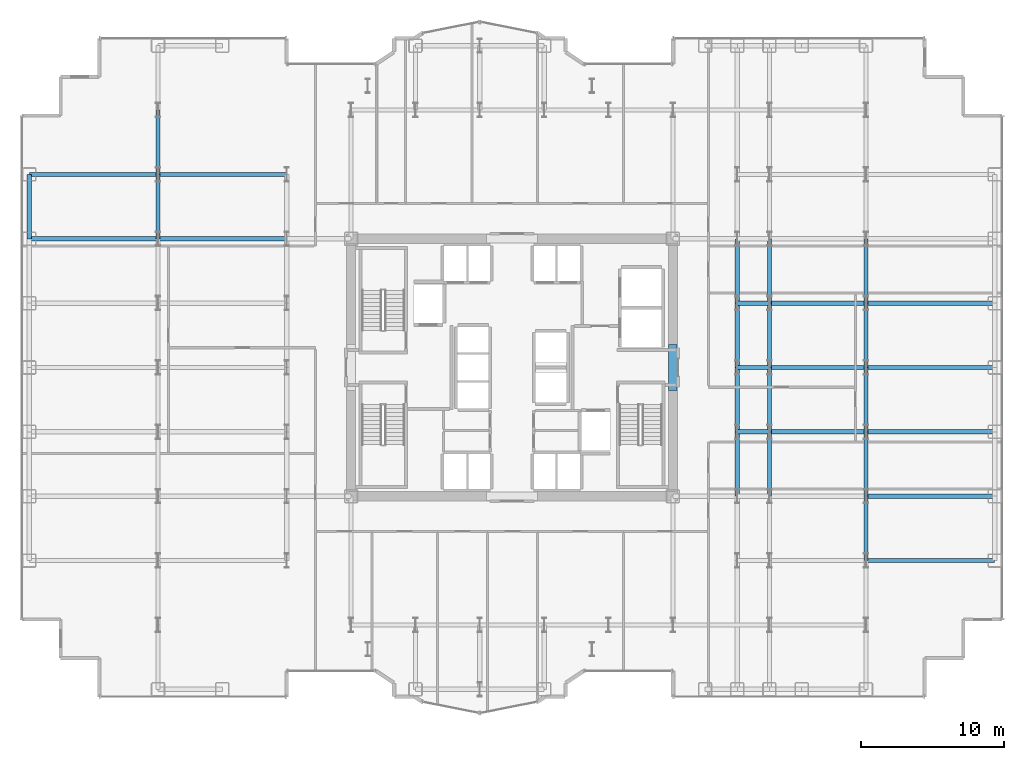
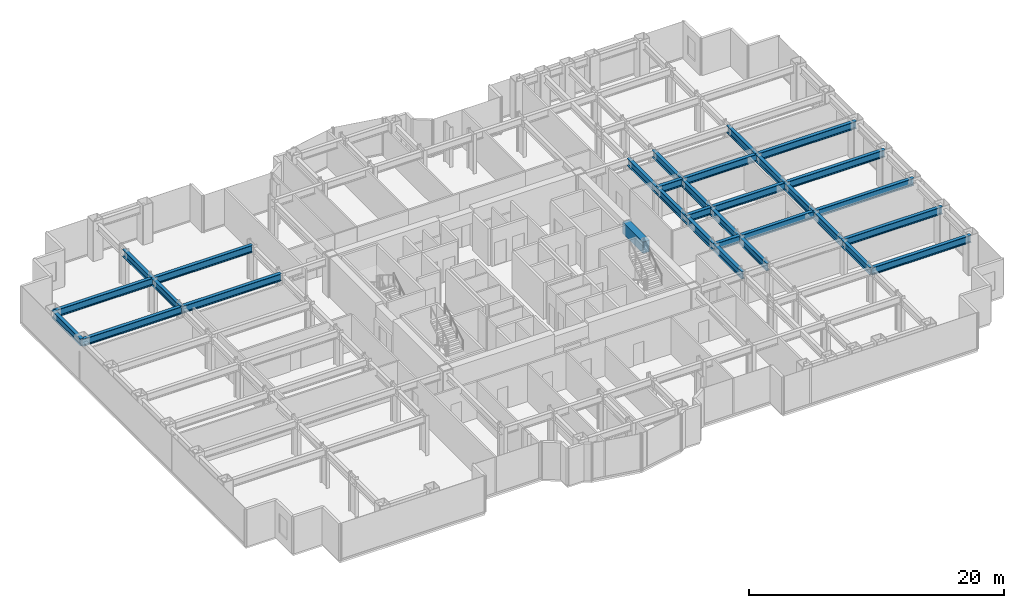
# One storey, part 8 of 26: 32 beams.
"""IFC4 building model written with IfcOpenShell, lengths in metres."""

from ifc_helpers import new_model, si_unit, direction, frame, origin, origin_2d, place, context, subcontext, project, spatial, rectangle, i_section, extrude, source, transform, mapped, material, material_profile, profile_set, type_object, element, save


model = new_model("IFC4")

# Units and contexts
model_context = context("Model", 3, precision=1e-05, world=origin(), true_north=direction((0.0, 1.0)))
body_context = subcontext(model_context, "Body", "Model", "MODEL_VIEW")
ifc_project = project(units=[si_unit("LENGTHUNIT", "METRE"), si_unit("AREAUNIT", "SQUARE_METRE"), si_unit("VOLUMEUNIT", "CUBIC_METRE"), si_unit("PLANEANGLEUNIT", "RADIAN"), si_unit("MASSUNIT", "GRAM", prefix="KILO")], contexts=[model_context])

# Site, building, storey
site_placement = place(None, origin())
site = spatial("IfcSite", under=ifc_project, at=site_placement, CompositionType="ELEMENT")
building_placement = place(site_placement, origin())
building = spatial("IfcBuilding", under=site, at=building_placement, Name="Nefas-Gora Pilgrimage Tower", CompositionType="ELEMENT")
storey_placement = place(building_placement, frame((0.0, 0.0, 59.60009765625)))
storey = spatial("IfcBuildingStorey", under=building, at=storey_placement, Name="L13", CompositionType="ELEMENT", Elevation=59.60009765625)

# Beams
ifc_material_1 = material(Name="Concrete C60/75", Category="concrete")
ifc_material_profile_1 = material_profile(ifc_material_1, rectangle(XDim=0.60009765625, YDim=1.10009765625, at=origin_2d()), Name="RC 600x1100")
ifc_profile_set_1 = profile_set([ifc_material_profile_1], Name="Concrete C60/75")
beam_type_1 = type_object("IfcBeamType", Name="BM-LIN-RC1100", PredefinedType="LINTEL", material=ifc_profile_set_1)
shared_shape_1 = source(origin(), body_context, "Body", "SweptSolid", [
    extrude(rectangle(XDim=0.60009765625, YDim=1.10009765625, at=origin_2d()), origin(), (0.0, 0.0, 1.0), 3.2001953125),
])
beam_1_placement = place(storey_placement, frame((11.25, -1.60009765625, 3.0), z_axis=(0.0, 1.0, 0.0), x_axis=(-1.0, 0.0, 0.0)))
element("IfcBeam", 1, at=beam_1_placement, inside=storey, type_object=beam_type_1, Name="L13 Core Coupling Lintel Beam E", PredefinedType="LINTEL", context=body_context, shape_type="MappedRepresentation", body=[
    mapped(shared_shape_1, transform((0.0, 0.0, 0.0), x_axis=(1.0, 0.0, 0.0), y_axis=(0.0, 1.0, 0.0), z_axis=(0.0, 0.0, 1.0), scale=1.0)),
])
ifc_material_2 = material(Name="Steel S355", Category="steel")
ifc_material_profile_2 = material_profile(ifc_material_2, i_section(OverallWidth=0.300048828125, OverallDepth=0.699951171875, WebThickness=0.01708984375, FlangeThickness=0.031982421875, FilletRadius=0.027099609375, at=origin_2d()), Name="HEB 700")
ifc_profile_set_2 = profile_set([ifc_material_profile_2], Name="Steel S355")
beam_type_2 = type_object("IfcBeamType", Name="BM-SPN-HEB600", PredefinedType="SPANDREL", material=ifc_profile_set_2)
shared_shape_2 = source(origin(), body_context, "Body", "SweptSolid", [
    extrude(i_section(OverallWidth=0.300048828125, OverallDepth=0.699951171875, WebThickness=0.01708984375, FlangeThickness=0.031982421875, FilletRadius=0.027099609375, at=origin_2d()), origin(), (0.0, 0.0, 1.0), 4.5),
])
beam_2_placement = place(storey_placement, frame((-33.75, 9.0, 3.199951171875), z_axis=(0.0, 1.0, 0.0), x_axis=(-1.0, 0.0, 0.0)))
element("IfcBeam", 2, at=beam_2_placement, inside=storey, type_object=beam_type_2, Name="L13 SP-01 beam", PredefinedType="SPANDREL", context=body_context, shape_type="MappedRepresentation", body=[
    mapped(shared_shape_2, transform((0.0, 0.0, 0.0), x_axis=(1.0, 0.0, 0.0), y_axis=(0.0, 1.0, 0.0), z_axis=(0.0, 0.0, 1.0), scale=1.0)),
])
ifc_material_profile_3 = material_profile(ifc_material_2, i_section(OverallWidth=0.300048828125, OverallDepth=0.699951171875, WebThickness=0.01708984375, FlangeThickness=0.031982421875, FilletRadius=0.027099609375, at=origin_2d()), Name="HEB 700")
ifc_profile_set_3 = profile_set([ifc_material_profile_3], Name="Steel S355")
beam_type_3 = type_object("IfcBeamType", Name="BM-GIR-HEB700", PredefinedType="BEAM", material=ifc_profile_set_3)
shared_shape_3 = source(origin(), body_context, "Body", "SweptSolid", [
    extrude(i_section(OverallWidth=0.300048828125, OverallDepth=0.699951171875, WebThickness=0.01708984375, FlangeThickness=0.031982421875, FilletRadius=0.027099609375, at=origin_2d()), origin(), (0.0, 0.0, 1.0), 9.0),
])
for number, where, z_axis, x_axis, name in (
    (3, (-33.75, 9.0, 3.199951171875), (1.0, 0.0, 0.0), (0.0, 1.0, 0.0), "L13 G-02 beam"),
    (4, (-33.75, 13.5, 3.199951171875), (1.0, 0.0, 0.0), (0.0, 1.0, 0.0), "L13 G-02 beam"),
    (5, (-24.75, 9.0, 3.199951171875), (1.0, 0.0, 0.0), (0.0, 1.0, 0.0), "L13 G-02 beam"),
    (6, (-24.75, 13.5, 3.199951171875), (1.0, 0.0, 0.0), (0.0, 1.0, 0.0), "L13 G-02 beam"),
    (7, (24.75, -13.5, 3.199951171875), (1.0, 0.0, 0.0), (0.0, 1.0, 0.0), "L13 G-02 beam"),
    (8, (24.75, -9.0, 3.199951171875), (1.0, 0.0, 0.0), (0.0, 1.0, 0.0), "L13 G-02 beam"),
    (9, (24.75, -4.5, 3.199951171875), (1.0, 0.0, 0.0), (0.0, 1.0, 0.0), "L13 G-02 beam"),
    (10, (24.75, 0.0, 3.199951171875), (1.0, 0.0, 0.0), (0.0, 1.0, 0.0), "L13 G-02 beam"),
    (11, (24.75, 4.5, 3.199951171875), (1.0, 0.0, 0.0), (0.0, 1.0, 0.0), "L13 G-02 beam"),
):
    element("IfcBeam", number, at=place(storey_placement, frame(where, z_axis=z_axis, x_axis=x_axis)), inside=storey, type_object=beam_type_3, Name=name, PredefinedType="BEAM", context=body_context, shape_type="MappedRepresentation", body=[
        mapped(shared_shape_3, transform((0.0, 0.0, 0.0), x_axis=(1.0, 0.0, 0.0), y_axis=(0.0, 1.0, 0.0), z_axis=(0.0, 0.0, 1.0), scale=1.0)),
    ])
shared_shape_4 = source(origin(), body_context, "Body", "SweptSolid", [
    extrude(i_section(OverallWidth=0.300048828125, OverallDepth=0.699951171875, WebThickness=0.01708984375, FlangeThickness=0.031982421875, FilletRadius=0.027099609375, at=origin_2d()), origin(), (0.0, 0.0, 1.0), 4.5),
])
for number, where, z_axis, x_axis, name in (
    (12, (-24.75, 9.0, 3.199951171875), (0.0, 1.0, 0.0), (-1.0, 0.0, 0.0), "L13 G-02 beam"),
    (13, (-24.75, 13.5, 3.199951171875), (0.0, 1.0, 0.0), (-1.0, 0.0, 0.0), "L13 G-02 beam"),
    (14, (15.75, -9.0, 3.199951171875), (0.0, 1.0, 0.0), (-1.0, 0.0, 0.0), "L13 G-02 beam"),
    (15, (15.75, -4.5, 3.199951171875), (0.0, 1.0, 0.0), (-1.0, 0.0, 0.0), "L13 G-02 beam"),
    (16, (15.75, 0.0, 3.199951171875), (0.0, 1.0, 0.0), (-1.0, 0.0, 0.0), "L13 G-02 beam"),
    (17, (15.75, 4.5, 3.199951171875), (0.0, 1.0, 0.0), (-1.0, 0.0, 0.0), "L13 G-02 beam"),
    (18, (18.0, -9.0, 3.199951171875), (0.0, 1.0, 0.0), (-1.0, 0.0, 0.0), "L13 G-02 beam"),
    (19, (18.0, -4.5, 3.199951171875), (0.0, 1.0, 0.0), (-1.0, 0.0, 0.0), "L13 G-02 beam"),
    (20, (18.0, 0.0, 3.199951171875), (0.0, 1.0, 0.0), (-1.0, 0.0, 0.0), "L13 G-02 beam"),
    (21, (18.0, 4.5, 3.199951171875), (0.0, 1.0, 0.0), (-1.0, 0.0, 0.0), "L13 G-02 beam"),
    (22, (24.75, -13.5, 3.199951171875), (0.0, 1.0, 0.0), (-1.0, 0.0, 0.0), "L13 G-02 beam"),
    (23, (24.75, -9.0, 3.199951171875), (0.0, 1.0, 0.0), (-1.0, 0.0, 0.0), "L13 G-02 beam"),
    (24, (24.75, -4.5, 3.199951171875), (0.0, 1.0, 0.0), (-1.0, 0.0, 0.0), "L13 G-02 beam"),
    (25, (24.75, 0.0, 3.199951171875), (0.0, 1.0, 0.0), (-1.0, 0.0, 0.0), "L13 G-02 beam"),
    (26, (24.75, 4.5, 3.199951171875), (0.0, 1.0, 0.0), (-1.0, 0.0, 0.0), "L13 G-02 beam"),
):
    element("IfcBeam", number, at=place(storey_placement, frame(where, z_axis=z_axis, x_axis=x_axis)), inside=storey, type_object=beam_type_3, Name=name, PredefinedType="BEAM", context=body_context, shape_type="MappedRepresentation", body=[
        mapped(shared_shape_4, transform((0.0, 0.0, 0.0), x_axis=(1.0, 0.0, 0.0), y_axis=(0.0, 1.0, 0.0), z_axis=(0.0, 0.0, 1.0), scale=1.0)),
    ])
shared_shape_5 = source(origin(), body_context, "Body", "SweptSolid", [
    extrude(i_section(OverallWidth=0.300048828125, OverallDepth=0.699951171875, WebThickness=0.01708984375, FlangeThickness=0.031982421875, FilletRadius=0.027099609375, at=origin_2d()), origin(), (0.0, 0.0, 1.0), 6.75),
])
for number, where, z_axis, x_axis, name in (
    (27, (18.0, -4.5, 3.199951171875), (1.0, 0.0, 0.0), (0.0, 1.0, 0.0), "L13 G-02 beam"),
    (28, (18.0, 0.0, 3.199951171875), (1.0, 0.0, 0.0), (0.0, 1.0, 0.0), "L13 G-02 beam"),
    (29, (18.0, 4.5, 3.199951171875), (1.0, 0.0, 0.0), (0.0, 1.0, 0.0), "L13 G-02 beam"),
):
    element("IfcBeam", number, at=place(storey_placement, frame(where, z_axis=z_axis, x_axis=x_axis)), inside=storey, type_object=beam_type_3, Name=name, PredefinedType="BEAM", context=body_context, shape_type="MappedRepresentation", body=[
        mapped(shared_shape_5, transform((0.0, 0.0, 0.0), x_axis=(1.0, 0.0, 0.0), y_axis=(0.0, 1.0, 0.0), z_axis=(0.0, 0.0, 1.0), scale=1.0)),
    ])
shared_shape_6 = source(origin(), body_context, "Body", "SweptSolid", [
    extrude(i_section(OverallWidth=0.300048828125, OverallDepth=0.699951171875, WebThickness=0.01708984375, FlangeThickness=0.031982421875, FilletRadius=0.027099609375, at=origin_2d()), origin(), (0.0, 0.0, 1.0), 2.25),
])
for number, where, z_axis, x_axis, name in (
    (30, (15.75, -4.5, 3.199951171875), (1.0, 0.0, 0.0), (0.0, 1.0, 0.0), "L13 G-02 beam"),
    (31, (15.75, 0.0, 3.199951171875), (1.0, 0.0, 0.0), (0.0, 1.0, 0.0), "L13 G-02 beam"),
    (32, (15.75, 4.5, 3.199951171875), (1.0, 0.0, 0.0), (0.0, 1.0, 0.0), "L13 G-02 beam"),
):
    element("IfcBeam", number, at=place(storey_placement, frame(where, z_axis=z_axis, x_axis=x_axis)), inside=storey, type_object=beam_type_3, Name=name, PredefinedType="BEAM", context=body_context, shape_type="MappedRepresentation", body=[
        mapped(shared_shape_6, transform((0.0, 0.0, 0.0), x_axis=(1.0, 0.0, 0.0), y_axis=(0.0, 1.0, 0.0), z_axis=(0.0, 0.0, 1.0), scale=1.0)),
    ])

save(model, "model.ifc")
